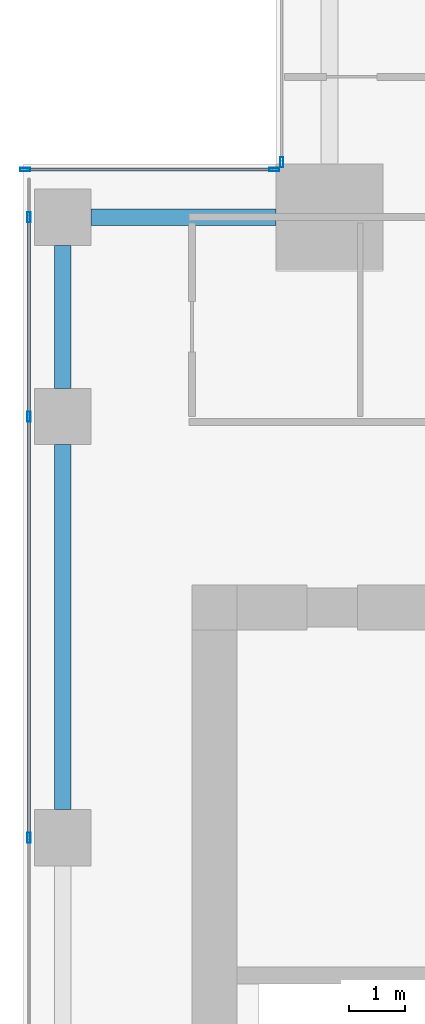
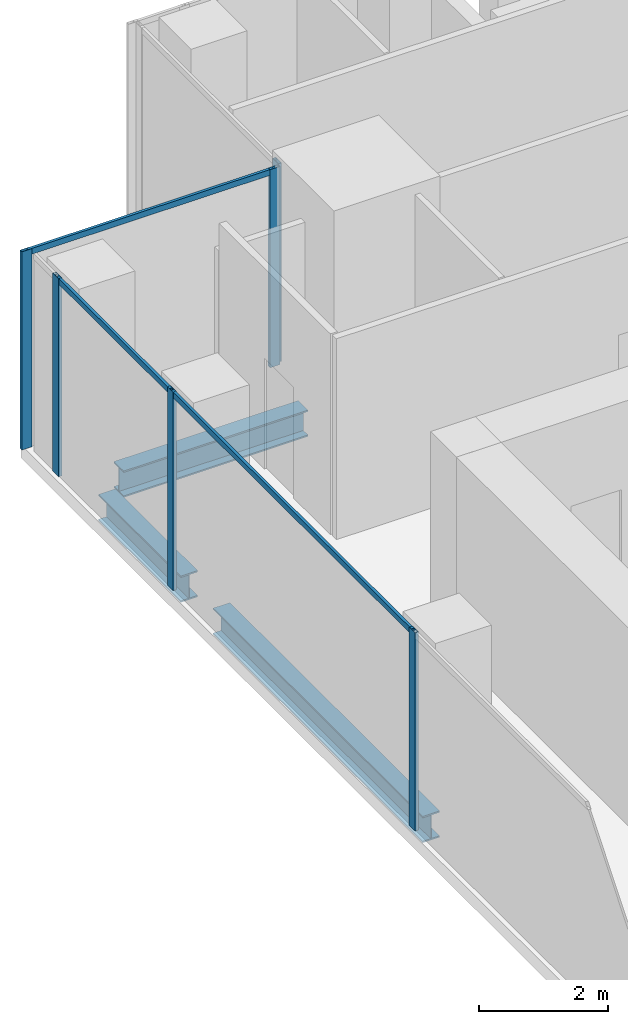
# One storey, part 18 of 40: 9 members, 3 beams, 3 elements without a shape of their own.
"""IFC4 building model written with IfcOpenShell, lengths in metres."""

import ifcopenshell
import ifcopenshell.guid

model = None  # the IFC model being written
_history = None  # IfcOwnerHistory: only IFC2X3 demands one
_inside = {}  # id of a spatial element -> (the spatial element, [elements in it])
_under = {}  # id of a project, library or spatial element -> (it, [spatial elements below it])
_declared = {}  # id of a project -> (the project, [libraries it declares])
_typed = {}  # id of a type object -> (the type object, [elements of that type])
_made_of = {}  # id of a material, layer set ... -> (it, [elements and type objects made of it])


def new_model(schema):
    """Start an empty IFC model of exactly this schema.

    Asked for "IFC4X3", IfcOpenShell would pick the latest addendum, in which some entities
    have other attributes; the version numbers below select the first issue.
    IFC2X3 requires an IfcOwnerHistory on every rooted entity: one is made here for all.
    """
    global model, _history
    if schema == "IFC4X3":
        model = ifcopenshell.file(schema_version=(4, 3, 0, 0))
    else:
        model = ifcopenshell.file(schema=schema)
    _inside.clear()
    _under.clear()
    _declared.clear()
    _typed.clear()
    _made_of.clear()
    _history = None
    if model.schema == "IFC2X3":
        org = make("IfcOrganization", Name="unknown")
        user = make(
            "IfcPersonAndOrganization",
            ThePerson=make("IfcPerson", FamilyName="unknown"),
            TheOrganization=org,
        )
        app = make(
            "IfcApplication",
            ApplicationDeveloper=org,
            Version="unknown",
            ApplicationFullName="unknown",
            ApplicationIdentifier="unknown",
        )
        _history = make(
            "IfcOwnerHistory",
            OwningUser=user,
            OwningApplication=app,
            ChangeAction="ADDED",
            CreationDate=0,
        )
    return model


def make(cls, **values):
    """One entity of the class cls with the attributes given. An attribute that is None is left unset."""
    return model.create_entity(
        cls, **{name: value for name, value in values.items() if value is not None}
    )


def rooted(cls, **values):
    """An entity with a GlobalId (a new one), such as an element, a storey or a relation."""
    return make(cls, GlobalId=ifcopenshell.guid.new(), OwnerHistory=_history, **values)


def si_unit(unit_type, name, prefix=None):
    """IfcSIUnit, for example si_unit("LENGTHUNIT", "METRE", prefix="MILLI")."""
    return make("IfcSIUnit", UnitType=unit_type, Prefix=prefix, Name=name)


def assignment(units):
    """IfcUnitAssignment: the units of a project."""
    return None if units is None else make("IfcUnitAssignment", Units=units)


def point(xyz):
    """IfcCartesianPoint."""
    return None if xyz is None else make("IfcCartesianPoint", Coordinates=xyz)


def direction(xyz):
    """IfcDirection."""
    return None if xyz is None else make("IfcDirection", DirectionRatios=xyz)


def frame(location, z_axis=None, x_axis=None):
    """IfcAxis2Placement3D, a coordinate frame: its origin and axes. An axis left out is left unset."""
    return make(
        "IfcAxis2Placement3D",
        Location=point(location),
        Axis=direction(z_axis),
        RefDirection=direction(x_axis),
    )


def frame_2d(location, x_axis=None):
    """IfcAxis2Placement2D, a coordinate frame in the plane: its origin and x axis."""
    return make(
        "IfcAxis2Placement2D", Location=point(location), RefDirection=direction(x_axis)
    )


def origin():
    """The frame at (0, 0, 0) with its axes left unset."""
    return frame((0.0, 0.0, 0.0))


def origin_2d():
    """The frame at (0, 0) in the plane with its x axis left unset."""
    return frame_2d((0.0, 0.0))


def place(relative_to, where):
    """IfcLocalPlacement: puts the frame where relative to a parent placement (None: the world)."""
    return make(
        "IfcLocalPlacement", PlacementRelTo=relative_to, RelativePlacement=where
    )


def context(
    kind, dimensions, precision=None, world=None, true_north=None, identifier=None
):
    """IfcGeometricRepresentationContext, for example the 3D "Model" context."""
    return make(
        "IfcGeometricRepresentationContext",
        ContextIdentifier=identifier,
        ContextType=kind,
        CoordinateSpaceDimension=dimensions,
        Precision=precision,
        WorldCoordinateSystem=world,
        TrueNorth=true_north,
    )


def subcontext(parent, identifier, kind, view, scale=None):
    """IfcGeometricRepresentationSubContext, for example "Body" below "Model"."""
    return make(
        "IfcGeometricRepresentationSubContext",
        ContextIdentifier=identifier,
        ContextType=kind,
        ParentContext=parent,
        TargetScale=scale,
        TargetView=view,
    )


def project(units=None, contexts=None):
    """IfcProject with its units and contexts."""
    return rooted(
        "IfcProject",
        Name="project",
        RepresentationContexts=contexts,
        UnitsInContext=assignment(units),
    )


def spatial(cls, under=None, at=None, **own):
    """A site, building, storey or space (cls), placed at a placement, below another one or the project."""
    s = rooted(cls, ObjectPlacement=at, **own)
    if under is not None:
        _under.setdefault(under.id(), (under, []))[1].append(s)
    return s


def profile(cls, at=None, kind="AREA", **sizes):
    """A parametric profile (cls). Its sizes go by their IFC names, for example OverallWidth=200.0."""
    return make(cls, ProfileType=kind, Position=at, **sizes)


def hollow_rectangle(**sizes):
    """IfcRectangleHollowProfileDef."""
    return profile("IfcRectangleHollowProfileDef", **sizes)


def i_section(**sizes):
    """IfcIShapeProfileDef."""
    return profile("IfcIShapeProfileDef", **sizes)


def extrude(swept, where, along, depth):
    """IfcExtrudedAreaSolid: the profile swept, set in the frame where, extruded along a direction by depth."""
    return make(
        "IfcExtrudedAreaSolid",
        SweptArea=swept,
        Position=where,
        ExtrudedDirection=direction(along),
        Depth=depth,
    )


def shape(context_of_items, identifier, shape_type, items):
    """IfcShapeRepresentation: the items that make up one representation, for example the "Body"."""
    return make(
        "IfcShapeRepresentation",
        ContextOfItems=context_of_items,
        RepresentationIdentifier=identifier,
        RepresentationType=shape_type,
        Items=items,
    )


def source(mapping_origin, context_of_items, identifier, shape_type, items):
    """IfcRepresentationMap: a shape defined once, which mapped items show again and again."""
    return make(
        "IfcRepresentationMap",
        MappingOrigin=mapping_origin,
        MappedRepresentation=shape(context_of_items, identifier, shape_type, items),
    )


def transform(
    local_origin,
    x_axis=None,
    y_axis=None,
    z_axis=None,
    scale=None,
    scale2=None,
    scale3=None,
    uniform=True,
):
    """IfcCartesianTransformationOperator3D, or its non-uniform kind. x_axis, y_axis, z_axis: its Axis1, 2, 3."""
    if uniform:
        return make(
            "IfcCartesianTransformationOperator3D",
            Axis1=direction(x_axis),
            Axis2=direction(y_axis),
            LocalOrigin=point(local_origin),
            Scale=scale,
            Axis3=direction(z_axis),
        )
    return make(
        "IfcCartesianTransformationOperator3DnonUniform",
        Axis1=direction(x_axis),
        Axis2=direction(y_axis),
        LocalOrigin=point(local_origin),
        Scale=scale,
        Axis3=direction(z_axis),
        Scale2=scale2,
        Scale3=scale3,
    )


def mapped(mapping_source, mapping_target):
    """IfcMappedItem: shows the shape of a source again, moved by a transform."""
    return make(
        "IfcMappedItem", MappingSource=mapping_source, MappingTarget=mapping_target
    )


def material(Name=None, Category=None):
    """IfcMaterial."""
    return make("IfcMaterial", Name=Name, Category=Category)


def material_profile(
    of_material, cross_section, Name=None, Category=None, Priority=None
):
    """IfcMaterialProfile: a cross section and its material."""
    return make(
        "IfcMaterialProfile",
        Name=Name,
        Material=of_material,
        Profile=cross_section,
        Priority=Priority,
        Category=Category,
    )


def profile_set(profiles, Name=None, composite=None):
    """IfcMaterialProfileSet."""
    return make(
        "IfcMaterialProfileSet",
        Name=Name,
        MaterialProfiles=profiles,
        CompositeProfile=composite,
    )


def made_of(thing, what):
    """Note that an element or type object is made of a material, layer set ...; save() writes the relation."""
    if what is not None:
        _made_of.setdefault(what.id(), (what, []))[1].append(thing)
    return thing


def type_object(cls, material=None, **own):
    """A type object (cls), such as IfcWallType, which elements share."""
    return made_of(rooted(cls, **own), material)


def element(
    cls,
    number,
    at=None,
    inside=None,
    cuts=None,
    type_object=None,
    material=None,
    context=None,
    identifier="Body",
    shape_type=None,
    held_by="IfcProductDefinitionShape",
    body=None,
    shapes=None,
    **own,
):
    """One element of the class cls, such as IfcWall. Its Tag is "e" and its number.

    at: its placement. inside: the storey or other place that contains it. cuts: it is an
    opening in that element (IfcRelVoidsElement). A single representation is given by context,
    identifier, shape_type and body (its items); several are given by shapes. held_by: the class
    of the entity that holds the representations. save() writes the other relations.
    """
    e = rooted(cls, Tag="e%d" % number, ObjectPlacement=at, **own)
    if body is not None:
        shapes = [shape(context, identifier, shape_type, body)]
    if shapes is not None:
        e.Representation = make(held_by, Representations=shapes)
    if inside is not None:
        _inside.setdefault(inside.id(), (inside, []))[1].append(e)
    if cuts is not None:
        rooted(
            "IfcRelVoidsElement", RelatingBuildingElement=cuts, RelatedOpeningElement=e
        )
    if type_object is not None:
        _typed.setdefault(type_object.id(), (type_object, []))[1].append(e)
    return made_of(e, material)


def aggregate(whole, parts):
    """IfcRelAggregates: a whole, such as a stair, and the parts it consists of."""
    return rooted("IfcRelAggregates", RelatingObject=whole, RelatedObjects=parts)


def save(model, path):
    """Write the relations noted so far, then the file.

    IfcRelAggregates (storeys below a building ...), IfcRelContainedInSpatialStructure (elements
    in a storey), IfcRelDefinesByType, IfcRelAssociatesMaterial and IfcRelDeclares: one each for
    every whole, place, type object, material and project.
    """
    for whole, parts in _under.values():
        aggregate(whole, parts)
    for where, things in _inside.values():
        rooted(
            "IfcRelContainedInSpatialStructure",
            RelatedElements=things,
            RelatingStructure=where,
        )
    for kind, things in _typed.values():
        rooted("IfcRelDefinesByType", RelatedObjects=things, RelatingType=kind)
    for what, things in _made_of.values():
        rooted("IfcRelAssociatesMaterial", RelatedObjects=things, RelatingMaterial=what)
    for by, libraries in _declared.values():
        rooted("IfcRelDeclares", RelatingContext=by, RelatedDefinitions=libraries)
    model.write(path)


model = new_model("IFC4")

# Units and contexts
model_context = context("Model", 3, precision=1e-05, world=origin(), true_north=direction((0.0, 1.0)))
body_context = subcontext(model_context, "Body", "Model", "MODEL_VIEW")
ifc_project = project(units=[si_unit("LENGTHUNIT", "METRE"), si_unit("AREAUNIT", "SQUARE_METRE"), si_unit("VOLUMEUNIT", "CUBIC_METRE"), si_unit("PLANEANGLEUNIT", "RADIAN"), si_unit("MASSUNIT", "GRAM", prefix="KILO")], contexts=[model_context])

# Site, building, storey
site_placement = place(None, origin())
site = spatial("IfcSite", under=ifc_project, at=site_placement, CompositionType="ELEMENT")
building_placement = place(site_placement, origin())
building = spatial("IfcBuilding", under=site, at=building_placement, Name="Khomas Fold Tower", CompositionType="ELEMENT")
storey_placement = place(building_placement, frame((0.0, 0.0, 184.699951171875)))
storey = spatial("IfcBuildingStorey", under=building, at=storey_placement, Name="L40", CompositionType="ELEMENT", Elevation=184.699951171875)

# Beams
ifc_material_1 = material(Name="Steel S355", Category="steel")
ifc_material_profile_1 = material_profile(ifc_material_1, i_section(OverallWidth=0.300048828125, OverallDepth=0.5, WebThickness=0.014404296875, FlangeThickness=0.028076171875, at=origin_2d()), Name="HE 500 B")
ifc_profile_set_1 = profile_set([ifc_material_profile_1], Name="Steel S355")
beam_type = type_object("IfcBeamType", Name="HE 500 B spandrel SB3", PredefinedType="SPANDREL", material=ifc_profile_set_1)
shared_shape_1 = source(origin(), body_context, "Body", "SweptSolid", [
    extrude(i_section(OverallWidth=0.300048828125, OverallDepth=0.5, WebThickness=0.014404296875, FlangeThickness=0.028076171875, at=origin_2d()), origin(), (0.0, 0.0, 1.0), 2.550048828125),
])
beam_1_placement = place(storey_placement, frame((3.699951171875, 42.5, -0.5), z_axis=(0.0, 1.0, 0.0), x_axis=(-1.0, 0.0, 0.0)))
element("IfcBeam", 1, at=beam_1_placement, inside=storey, type_object=beam_type, Name="SB3", PredefinedType="SPANDREL", context=body_context, shape_type="MappedRepresentation", body=[
    mapped(shared_shape_1, transform((0.0, 0.0, 0.0))),
])
shared_shape_2 = source(origin(), body_context, "Body", "SweptSolid", [
    extrude(i_section(OverallWidth=0.300048828125, OverallDepth=0.5, WebThickness=0.014404296875, FlangeThickness=0.028076171875, at=origin_2d()), origin(), (0.0, 0.0, 1.0), 6.5),
])
beam_2_placement = place(storey_placement, frame((3.699951171875, 35.0, -0.5), z_axis=(0.0, 1.0, 0.0), x_axis=(-1.0, 0.0, 0.0)))
element("IfcBeam", 2, at=beam_2_placement, inside=storey, type_object=beam_type, Name="SB3", PredefinedType="SPANDREL", context=body_context, shape_type="MappedRepresentation", body=[
    mapped(shared_shape_2, transform((0.0, 0.0, 0.0))),
])
shared_shape_3 = source(origin(), body_context, "Body", "SweptSolid", [
    extrude(i_section(OverallWidth=0.300048828125, OverallDepth=0.5, WebThickness=0.014404296875, FlangeThickness=0.028076171875, at=origin_2d()), origin(), (0.0, 0.0, 1.0), 3.300048828125),
])
beam_3_placement = place(storey_placement, frame((4.199951171875, 45.550048828125, -0.5), z_axis=(1.0, 0.0, 0.0), x_axis=(0.0, 1.0, 0.0)))
element("IfcBeam", 3, at=beam_3_placement, inside=storey, type_object=beam_type, Name="SB3", PredefinedType="SPANDREL", context=body_context, shape_type="MappedRepresentation", body=[
    mapped(shared_shape_3, transform((0.0, 0.0, 0.0))),
])

# Curtain wall, member
ifc_material_2 = material(Name="Aluminium framed double glazing", Category="aluminium")
curtain_wall_type = type_object("IfcCurtainWallType", Name="SK-Unitised clear-glass wall, office floors CW2", PredefinedType="NOTDEFINED", material=ifc_material_2)
curtain_wall_1_placement = place(storey_placement, origin())
curtain_wall_1 = element("IfcCurtainWall", 4, at=curtain_wall_1_placement, inside=storey, type_object=curtain_wall_type, Name="CW2 corner return L40 16", PredefinedType="NOTDEFINED")
ifc_material_3 = material(Name="Aluminium", Category="aluminium")
ifc_material_profile_2 = material_profile(ifc_material_3, hollow_rectangle(XDim=0.06005859375, YDim=0.179931640625, WallThickness=0.00390625, at=origin_2d()), Name="SK-Unitised clear-glass wall, office floors mullion CW2-M")
ifc_profile_set_2 = profile_set([ifc_material_profile_2], Name="Aluminium")
member_type_1 = type_object("IfcMemberType", Name="SK-Unitised clear-glass wall, office floors mullion CW2-M", PredefinedType="MULLION", material=ifc_profile_set_2)
shared_shape_4 = source(origin(), body_context, "Body", "SweptSolid", [
    extrude(hollow_rectangle(XDim=0.06005859375, YDim=0.179931640625, WallThickness=0.00390625, at=origin_2d()), origin(), (0.0, 0.0, 1.0), 3.75),
])
member_1_placement = place(storey_placement, frame((7.60009765625, 46.530029296875, 0.0), z_axis=(0.0, 0.0, 1.0), x_axis=(1.0, 0.0, 0.0)))
member_1 = element("IfcMember", 5, at=member_1_placement, type_object=member_type_1, Name="CW2 mullion 2", PredefinedType="MULLION", context=body_context, shape_type="MappedRepresentation", body=[
    mapped(shared_shape_4, transform((0.0, 0.0, 0.0))),
])
aggregate(curtain_wall_1, [member_1])

# Curtain wall, members
curtain_wall_2_placement = place(storey_placement, origin())
curtain_wall_2 = element("IfcCurtainWall", 6, at=curtain_wall_2_placement, inside=storey, type_object=curtain_wall_type, Name="CW2 corner return L40 17", PredefinedType="NOTDEFINED")
member_2_placement = place(storey_placement, frame((7.469970703125, 46.39990234375, 0.0), z_axis=(0.0, 0.0, 1.0), x_axis=(0.0, -1.0, 0.0)))
member_2 = element("IfcMember", 7, at=member_2_placement, type_object=member_type_1, Name="CW2 mullion 1", PredefinedType="MULLION", context=body_context, shape_type="MappedRepresentation", body=[
    mapped(shared_shape_4, transform((0.0, 0.0, 0.0))),
])
member_3_placement = place(storey_placement, frame((3.030029296875, 46.39990234375, 0.0), z_axis=(0.0, 0.0, 1.0), x_axis=(0.0, -1.0, 0.0)))
member_3 = element("IfcMember", 8, at=member_3_placement, type_object=member_type_1, Name="CW2 mullion 2", PredefinedType="MULLION", context=body_context, shape_type="MappedRepresentation", body=[
    mapped(shared_shape_4, transform((0.0, 0.0, 0.0))),
])

curtain_wall_3_placement = place(storey_placement, origin())
curtain_wall_3 = element("IfcCurtainWall", 9, at=curtain_wall_3_placement, inside=storey, type_object=curtain_wall_type, Name="CW2 run L40 18-0", PredefinedType="NOTDEFINED")
member_4_placement = place(storey_placement, frame((3.10009765625, 45.550048828125, 0.0), z_axis=(0.0, 0.0, 1.0), x_axis=(1.0, 0.0, 0.0)))
member_4 = element("IfcMember", 10, at=member_4_placement, type_object=member_type_1, Name="CW2 mullion 2", PredefinedType="MULLION", context=body_context, shape_type="MappedRepresentation", body=[
    mapped(shared_shape_4, transform((0.0, 0.0, 0.0))),
])
member_5_placement = place(storey_placement, frame((3.10009765625, 42.0, 0.0), z_axis=(0.0, 0.0, 1.0), x_axis=(1.0, 0.0, 0.0)))
member_5 = element("IfcMember", 11, at=member_5_placement, type_object=member_type_1, Name="CW2 mullion 3", PredefinedType="MULLION", context=body_context, shape_type="MappedRepresentation", body=[
    mapped(shared_shape_4, transform((0.0, 0.0, 0.0))),
])
member_6_placement = place(storey_placement, frame((3.10009765625, 34.5, 0.0), z_axis=(0.0, 0.0, 1.0), x_axis=(1.0, 0.0, 0.0)))
member_6 = element("IfcMember", 12, at=member_6_placement, type_object=member_type_1, Name="CW2 mullion 4", PredefinedType="MULLION", context=body_context, shape_type="MappedRepresentation", body=[
    mapped(shared_shape_4, transform((0.0, 0.0, 0.0))),
])

# Member
ifc_material_4 = material(Name="Aluminium", Category="aluminium")
ifc_material_profile_3 = material_profile(ifc_material_4, hollow_rectangle(XDim=0.050048828125, YDim=0.110107421875, WallThickness=0.00390625, at=origin_2d()), Name="SK-Unitised clear-glass wall, office floors transom CW2-T")
ifc_profile_set_3 = profile_set([ifc_material_profile_3], Name="Aluminium")
member_type_2 = type_object("IfcMemberType", Name="SK-Unitised clear-glass wall, office floors transom CW2-T", PredefinedType="USERDEFINED", material=ifc_profile_set_3)
shared_shape_5 = source(origin(), body_context, "Body", "SweptSolid", [
    extrude(hollow_rectangle(XDim=0.050048828125, YDim=0.110107421875, WallThickness=0.00390625, at=origin_2d()), origin(), (0.0, 0.0, 1.0), 4.3798828125),
])
member_7_placement = place(storey_placement, frame((7.43994140625, 46.39990234375, 3.695068359375), z_axis=(-1.0, 0.0, 0.0), x_axis=(0.0, -1.0, 0.0)))
member_7 = element("IfcMember", 13, at=member_7_placement, type_object=member_type_2, Name="CW2 transom 1", ObjectType="TRANSOM", PredefinedType="USERDEFINED", context=body_context, shape_type="MappedRepresentation", body=[
    mapped(shared_shape_5, transform((0.0, 0.0, 0.0))),
])

aggregate(curtain_wall_2, [member_2, member_3, member_7])

shared_shape_6 = source(origin(), body_context, "Body", "SweptSolid", [
    extrude(hollow_rectangle(XDim=0.050048828125, YDim=0.110107421875, WallThickness=0.00390625, at=origin_2d()), origin(), (0.0, 0.0, 1.0), 3.489990234375),
])
member_8_placement = place(storey_placement, frame((3.10009765625, 45.52001953125, 3.695068359375), z_axis=(0.0, -1.0, 0.0), x_axis=(1.0, 0.0, 0.0)))
member_8 = element("IfcMember", 14, at=member_8_placement, type_object=member_type_2, Name="CW2 transom 2", ObjectType="TRANSOM", PredefinedType="USERDEFINED", context=body_context, shape_type="MappedRepresentation", body=[
    mapped(shared_shape_6, transform((0.0, 0.0, 0.0))),
])

shared_shape_7 = source(origin(), body_context, "Body", "SweptSolid", [
    extrude(hollow_rectangle(XDim=0.050048828125, YDim=0.110107421875, WallThickness=0.00390625, at=origin_2d()), origin(), (0.0, 0.0, 1.0), 7.43994140625),
])
member_9_placement = place(storey_placement, frame((3.10009765625, 41.969970703125, 3.695068359375), z_axis=(0.0, -1.0, 0.0), x_axis=(1.0, 0.0, 0.0)))
member_9 = element("IfcMember", 15, at=member_9_placement, type_object=member_type_2, Name="CW2 transom 3", ObjectType="TRANSOM", PredefinedType="USERDEFINED", context=body_context, shape_type="MappedRepresentation", body=[
    mapped(shared_shape_7, transform((0.0, 0.0, 0.0))),
])

aggregate(curtain_wall_3, [member_4, member_5, member_6, member_8, member_9])

save(model, "model.ifc")
